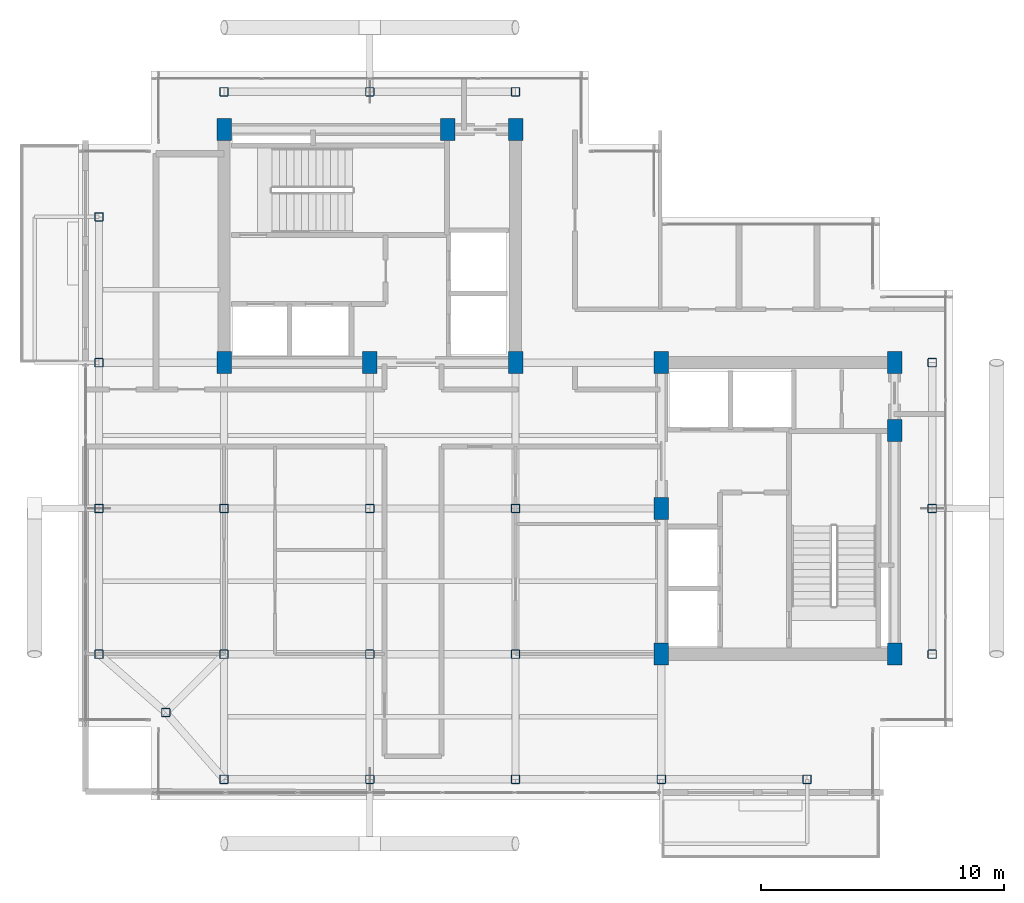
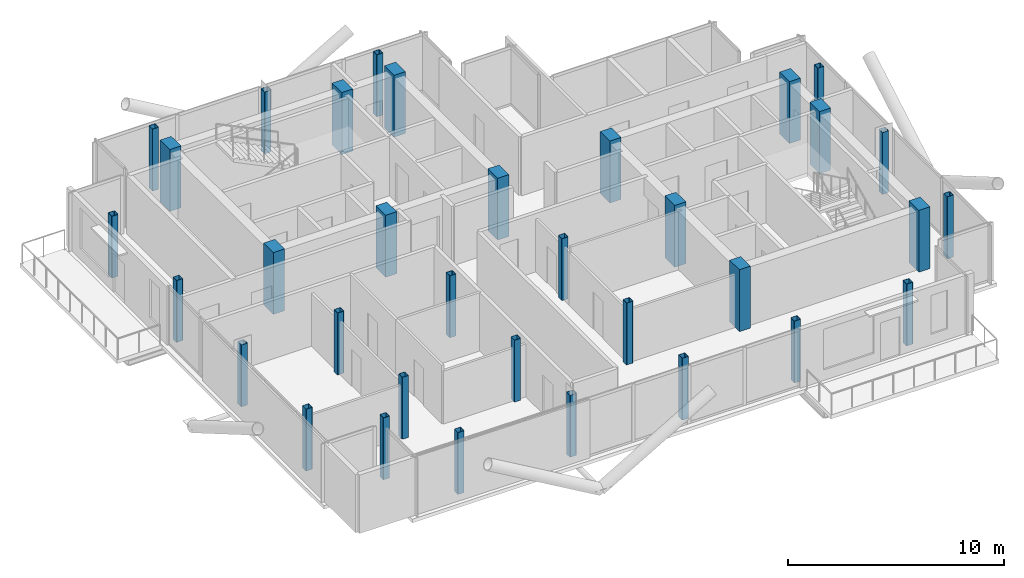
# One storey, part 1 of 18: 34 columns.
"""IFC4 building model written with IfcOpenShell, lengths in metres."""

from ifc_helpers import new_model, si_unit, direction, frame, origin, origin_2d, place, context, subcontext, project, spatial, rectangle, hollow_rectangle, extrude, material, material_profile, profile_set, type_object, element, save


model = new_model("IFC4")

# Units and contexts
model_context = context("Model", 3, precision=1e-05, world=origin(), true_north=direction((0.0, 1.0)))
body_context = subcontext(model_context, "Body", "Model", "MODEL_VIEW")
ifc_project = project(units=[si_unit("LENGTHUNIT", "METRE"), si_unit("AREAUNIT", "SQUARE_METRE"), si_unit("VOLUMEUNIT", "CUBIC_METRE"), si_unit("PLANEANGLEUNIT", "RADIAN"), si_unit("MASSUNIT", "GRAM", prefix="KILO"), si_unit("THERMODYNAMICTEMPERATUREUNIT", "KELVIN"), si_unit("POWERUNIT", "WATT")], contexts=[model_context])

# Site, building, storey
site_placement = place(None, origin())
site = spatial("IfcSite", under=ifc_project, at=site_placement, CompositionType="ELEMENT")
building_placement = place(site_placement, origin())
building = spatial("IfcBuilding", under=site, at=building_placement, Name="Svarakhadi Broadcast Tower", CompositionType="ELEMENT")
storey_placement = place(building_placement, frame((0.0, 0.0, 246.699951171875)))
storey = spatial("IfcBuildingStorey", under=building, at=storey_placement, Name="L61", CompositionType="ELEMENT", Elevation=246.699951171875)

# Columns
ifc_material_1 = material(Name="Concrete C50/60 (IS 456 M60)", Category="concrete")
ifc_material_profile_1 = material_profile(ifc_material_1, rectangle(XDim=0.60009765625, YDim=0.89990234375, at=origin_2d()), Name="RC 600x900")
ifc_profile_set_1 = profile_set([ifc_material_profile_1], Name="Concrete C50/60 (IS 456 M60)")
column_type_1 = type_object("IfcColumnType", Name="Col_RC600", PredefinedType="COLUMN", material=ifc_profile_set_1)
for number, where, z_axis, x_axis, name in (
    (1, (6.0, 18.0, 0.0), (0.0, 0.0, 1.0), (1.0, 0.0, 0.0), "L61 Column CW1"),
    (2, (12.0, 18.0, 0.0), (0.0, 0.0, 1.0), (1.0, 0.0, 0.0), "L61 Column CW2"),
    (3, (18.0, 18.0, 0.0), (0.0, 0.0, 1.0), (1.0, 0.0, 0.0), "L61 Column CW3"),
    (4, (6.0, 27.60009765625, 0.0), (0.0, 0.0, 1.0), (1.0, 0.0, 0.0), "L61 Column CW4"),
    (5, (15.199951171875, 27.60009765625, 0.0), (0.0, 0.0, 1.0), (1.0, 0.0, 0.0), "L61 Column CW5"),
    (6, (18.0, 27.60009765625, 0.0), (0.0, 0.0, 1.0), (1.0, 0.0, 0.0), "L61 Column CW6"),
    (7, (24.0, 6.0, 0.0), (0.0, 0.0, 1.0), (1.0, 0.0, 0.0), "L61 Column CE1"),
    (8, (24.0, 12.0, 0.0), (0.0, 0.0, 1.0), (1.0, 0.0, 0.0), "L61 Column CE2"),
    (9, (24.0, 18.0, 0.0), (0.0, 0.0, 1.0), (1.0, 0.0, 0.0), "L61 Column CE3"),
    (10, (33.60009765625, 6.0, 0.0), (0.0, 0.0, 1.0), (1.0, 0.0, 0.0), "L61 Column CE4"),
    (11, (33.60009765625, 15.199951171875, 0.0), (0.0, 0.0, 1.0), (1.0, 0.0, 0.0), "L61 Column CE5"),
    (12, (33.60009765625, 18.0, 0.0), (0.0, 0.0, 1.0), (1.0, 0.0, 0.0), "L61 Column CE6"),
):
    element("IfcColumn", number, at=place(storey_placement, frame(where, z_axis=z_axis, x_axis=x_axis)), inside=storey, type_object=column_type_1, Name=name, PredefinedType="COLUMN", context=body_context, shape_type="SweptSolid", body=[
        extrude(rectangle(XDim=0.60009765625, YDim=0.89990234375, at=origin_2d()), origin(), (0.0, 0.0, 1.0), 3.5),
    ])
ifc_material_2 = material(Name="Steel S460ML (IS 2062 E450BR)", Category="steel")
ifc_material_profile_2 = material_profile(ifc_material_2, hollow_rectangle(XDim=0.35009765625, YDim=0.35009765625, WallThickness=0.01611328125, InnerFilletRadius=0.01611328125, OuterFilletRadius=0.031982421875, at=origin_2d()), Name="SHS 350x350x16")
ifc_profile_set_2 = profile_set([ifc_material_profile_2], Name="Steel S460ML (IS 2062 E450BR)")
column_type_2 = type_object("IfcColumnType", Name="Col_SHS350", PredefinedType="COLUMN", material=ifc_profile_set_2)
for number, where, z_axis, x_axis, name in (
    (13, (3.60009765625, 3.60009765625, 0.0), (0.0, 0.0, 1.0), (1.0, 0.0, 0.0), "L61 Column G01"),
    (14, (0.85009765625, 6.0, 0.0), (0.0, 0.0, 1.0), (1.0, 0.0, 0.0), "L61 Column G03"),
    (15, (0.85009765625, 12.0, 0.0), (0.0, 0.0, 1.0), (1.0, 0.0, 0.0), "L61 Column G04"),
    (16, (0.85009765625, 18.0, 0.0), (0.0, 0.0, 1.0), (1.0, 0.0, 0.0), "L61 Column G05"),
    (17, (0.85009765625, 24.0, 0.0), (0.0, 0.0, 1.0), (1.0, 0.0, 0.0), "L61 Column G06"),
    (18, (6.0, 0.85009765625, 0.0), (0.0, 0.0, 1.0), (1.0, 0.0, 0.0), "L61 Column G11"),
    (19, (6.0, 6.0, 0.0), (0.0, 0.0, 1.0), (1.0, 0.0, 0.0), "L61 Column G12"),
    (20, (6.0, 12.0, 0.0), (0.0, 0.0, 1.0), (1.0, 0.0, 0.0), "L61 Column G13"),
    (21, (6.0, 29.14990234375, 0.0), (0.0, 0.0, 1.0), (1.0, 0.0, 0.0), "L61 Column G14"),
    (22, (12.0, 0.85009765625, 0.0), (0.0, 0.0, 1.0), (1.0, 0.0, 0.0), "L61 Column G18"),
    (23, (12.0, 6.0, 0.0), (0.0, 0.0, 1.0), (1.0, 0.0, 0.0), "L61 Column G19"),
    (24, (12.0, 12.0, 0.0), (0.0, 0.0, 1.0), (1.0, 0.0, 0.0), "L61 Column G20"),
    (25, (12.0, 29.14990234375, 0.0), (0.0, 0.0, 1.0), (1.0, 0.0, 0.0), "L61 Column G21"),
    (26, (18.0, 0.85009765625, 0.0), (0.0, 0.0, 1.0), (1.0, 0.0, 0.0), "L61 Column G25"),
    (27, (18.0, 6.0, 0.0), (0.0, 0.0, 1.0), (1.0, 0.0, 0.0), "L61 Column G26"),
    (28, (18.0, 12.0, 0.0), (0.0, 0.0, 1.0), (1.0, 0.0, 0.0), "L61 Column G27"),
    (29, (18.0, 29.14990234375, 0.0), (0.0, 0.0, 1.0), (1.0, 0.0, 0.0), "L61 Column G28"),
    (30, (24.0, 0.85009765625, 0.0), (0.0, 0.0, 1.0), (1.0, 0.0, 0.0), "L61 Column G32"),
    (31, (30.0, 0.85009765625, 0.0), (0.0, 0.0, 1.0), (1.0, 0.0, 0.0), "L61 Column G36"),
    (32, (35.14990234375, 6.0, 0.0), (0.0, 0.0, 1.0), (1.0, 0.0, 0.0), "L61 Column G39"),
    (33, (35.14990234375, 12.0, 0.0), (0.0, 0.0, 1.0), (1.0, 0.0, 0.0), "L61 Column G40"),
    (34, (35.14990234375, 18.0, 0.0), (0.0, 0.0, 1.0), (1.0, 0.0, 0.0), "L61 Column G41"),
):
    element("IfcColumn", number, at=place(storey_placement, frame(where, z_axis=z_axis, x_axis=x_axis)), inside=storey, type_object=column_type_2, Name=name, PredefinedType="COLUMN", context=body_context, shape_type="SweptSolid", body=[
        extrude(hollow_rectangle(XDim=0.35009765625, YDim=0.35009765625, WallThickness=0.01611328125, InnerFilletRadius=0.01611328125, OuterFilletRadius=0.031982421875, at=origin_2d()), origin(), (0.0, 0.0, 1.0), 3.5),
    ])

save(model, "model.ifc")
